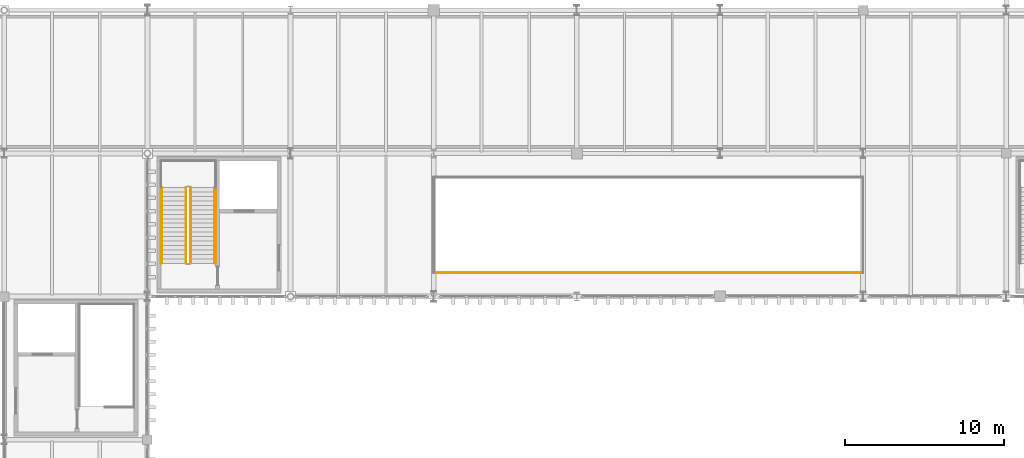
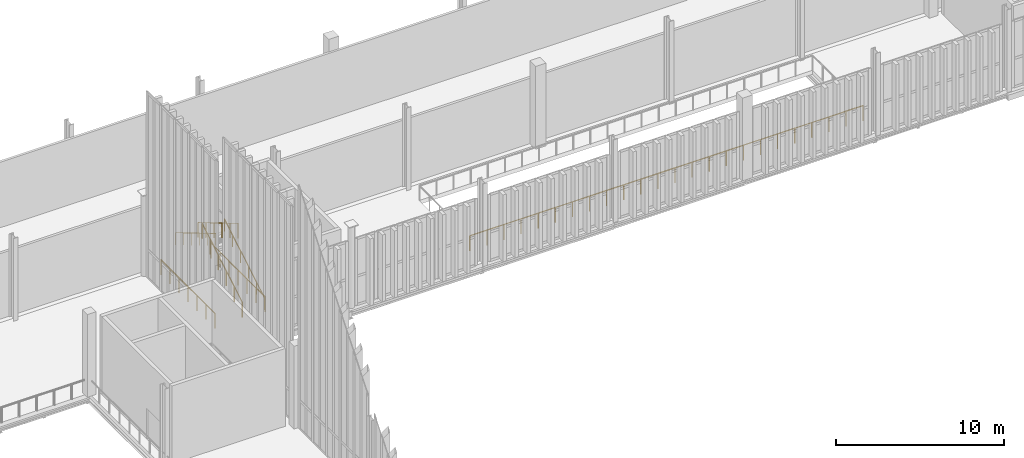
# One storey, part 218 of 237: 7 railings.
"""IFC4 building model written with IfcOpenShell, lengths in metres."""

from ifc_helpers import new_model, si_unit, direction, frame, origin, origin_2d, place, context, subcontext, project, spatial, circle, extrude, material, type_object, element, save


model = new_model("IFC4")

# Units and contexts
model_context = context("Model", 3, precision=1e-05, world=origin(), true_north=direction((0.0, 1.0)))
body_context = subcontext(model_context, "Body", "Model", "MODEL_VIEW")
ifc_project = project(units=[si_unit("LENGTHUNIT", "METRE"), si_unit("AREAUNIT", "SQUARE_METRE"), si_unit("VOLUMEUNIT", "CUBIC_METRE"), si_unit("PLANEANGLEUNIT", "RADIAN"), si_unit("MASSUNIT", "GRAM", prefix="KILO")], contexts=[model_context])

# Site, building, storey
site_placement = place(None, origin())
site = spatial("IfcSite", under=ifc_project, at=site_placement, CompositionType="ELEMENT")
building_placement = place(site_placement, origin())
building = spatial("IfcBuilding", under=site, at=building_placement, Name="Barlavento Convention Centre", CompositionType="ELEMENT")
storey_placement = place(building_placement, frame((0.0, 0.0, 12.0)))
storey = spatial("IfcBuildingStorey", under=building, at=storey_placement, Name="L02", CompositionType="ELEMENT", Elevation=12.0)

# Railings
ifc_material_1 = material(Name="Stainless steel and laminated glass balustrade", Category="steel")
railing_type_1 = type_object("IfcRailingType", Name="ARC-RAL-BAL-1100", PredefinedType="BALUSTRADE", material=ifc_material_1)
railing_1_placement = place(storey_placement, frame((65.719970703125, 47.090087890625, 0.166748046875)))
element("IfcRailing", 1, at=railing_1_placement, inside=storey, type_object=railing_type_1, Name="L02 ST03 stair guard 1", PredefinedType="BALUSTRADE", context=body_context, shape_type="SweptSolid", body=[
    extrude(circle(Radius=0.02392578125, at=origin_2d()), frame((0.0, 0.0, 1.076171875), z_axis=(0.0, 0.859299802514, 0.511472237174), x_axis=(-1.0, 0.0, 0.0)), (0.0, 0.0, 1.0), 5.539306640625),
    extrude(circle(Radius=0.02099609375, at=origin_2d()), origin(), (0.0, 0.0, 1.0), 1.052001953125),
    extrude(circle(Radius=0.02099609375, at=origin_2d()), frame((0.0, 0.951904296875, 0.566650390625)), (0.0, 0.0, 1.0), 1.052001953125),
    extrude(circle(Radius=0.02099609375, at=origin_2d()), frame((0.0, 1.904052734375, 1.13330078125)), (0.0, 0.0, 1.0), 1.052001953125),
    extrude(circle(Radius=0.02099609375, at=origin_2d()), frame((0.0, 2.85595703125, 1.699951171875)), (0.0, 0.0, 1.0), 1.052001953125),
    extrude(circle(Radius=0.02099609375, at=origin_2d()), frame((0.0, 3.80810546875, 2.2666015625)), (0.0, 0.0, 1.0), 1.052001953125),
    extrude(circle(Radius=0.02099609375, at=origin_2d()), frame((0.0, 4.760009765625, 2.833251953125)), (0.0, 0.0, 1.0), 1.052001953125),
])
railing_2_placement = place(storey_placement, frame((65.419921875, 51.85009765625, 3.166748046875)))
element("IfcRailing", 2, at=railing_2_placement, inside=storey, type_object=railing_type_1, Name="L02 ST03 stair guard 3", PredefinedType="BALUSTRADE", context=body_context, shape_type="SweptSolid", body=[
    extrude(circle(Radius=0.02392578125, at=origin_2d()), frame((0.0, 0.0, 1.076171875), z_axis=(0.0, -0.859299802514, 0.511472237174), x_axis=(1.0, 0.0, 0.0)), (0.0, 0.0, 1.0), 5.539306640625),
    extrude(circle(Radius=0.02099609375, at=origin_2d()), origin(), (0.0, 0.0, 1.0), 1.052001953125),
    extrude(circle(Radius=0.02099609375, at=origin_2d()), frame((0.0, -0.951904296875, 0.566650390625)), (0.0, 0.0, 1.0), 1.052001953125),
    extrude(circle(Radius=0.02099609375, at=origin_2d()), frame((0.0, -1.904052734375, 1.13330078125)), (0.0, 0.0, 1.0), 1.052001953125),
    extrude(circle(Radius=0.02099609375, at=origin_2d()), frame((0.0, -2.85595703125, 1.699951171875)), (0.0, 0.0, 1.0), 1.052001953125),
    extrude(circle(Radius=0.02099609375, at=origin_2d()), frame((0.0, -3.80810546875, 2.2666015625)), (0.0, 0.0, 1.0), 1.052001953125),
    extrude(circle(Radius=0.02099609375, at=origin_2d()), frame((0.0, -4.760009765625, 2.833251953125)), (0.0, 0.0, 1.0), 1.052001953125),
])
railing_3_placement = place(storey_placement, frame((67.2900390625, 47.114990234375, 0.0)))
element("IfcRailing", 3, at=railing_3_placement, inside=storey, type_object=railing_type_1, Name="L02 stairwell perimeter guard GR01", PredefinedType="BALUSTRADE", context=body_context, shape_type="SweptSolid", body=[
    extrude(circle(Radius=0.02392578125, at=origin_2d()), frame((0.0, 0.0, 1.076171875), z_axis=(0.0, 1.0, 0.0), x_axis=(-1.0, 0.0, 0.0)), (0.0, 0.0, 1.0), 6.4150390625),
    extrude(circle(Radius=0.02099609375, at=origin_2d()), origin(), (0.0, 0.0, 1.0), 1.052001953125),
    extrude(circle(Radius=0.02099609375, at=origin_2d()), frame((0.0, 1.069091796875, 0.0)), (0.0, 0.0, 1.0), 1.052001953125),
    extrude(circle(Radius=0.02099609375, at=origin_2d()), frame((0.0, 2.138427734375, 0.0)), (0.0, 0.0, 1.0), 1.052001953125),
    extrude(circle(Radius=0.02099609375, at=origin_2d()), frame((0.0, 3.20751953125, 0.0)), (0.0, 0.0, 1.0), 1.052001953125),
    extrude(circle(Radius=0.02099609375, at=origin_2d()), frame((0.0, 4.276611328125, 0.0)), (0.0, 0.0, 1.0), 1.052001953125),
    extrude(circle(Radius=0.02099609375, at=origin_2d()), frame((0.0, 5.345947265625, 0.0)), (0.0, 0.0, 1.0), 1.052001953125),
    extrude(circle(Radius=0.02099609375, at=origin_2d()), frame((0.0, 6.4150390625, 0.0)), (0.0, 0.0, 1.0), 1.052001953125),
])
railing_4_placement = place(storey_placement, frame((63.85009765625, 53.530029296875, 0.0)))
element("IfcRailing", 4, at=railing_4_placement, inside=storey, type_object=railing_type_1, Name="L02 stairwell perimeter guard GR01", PredefinedType="BALUSTRADE", context=body_context, shape_type="SweptSolid", body=[
    extrude(circle(Radius=0.02392578125, at=origin_2d()), frame((0.0, 0.0, 1.076171875), z_axis=(0.0, -1.0, 0.0), x_axis=(1.0, 0.0, 0.0)), (0.0, 0.0, 1.0), 6.4150390625),
    extrude(circle(Radius=0.02099609375, at=origin_2d()), origin(), (0.0, 0.0, 1.0), 1.052001953125),
    extrude(circle(Radius=0.02099609375, at=origin_2d()), frame((0.0, -1.069091796875, 0.0)), (0.0, 0.0, 1.0), 1.052001953125),
    extrude(circle(Radius=0.02099609375, at=origin_2d()), frame((0.0, -2.138427734375, 0.0)), (0.0, 0.0, 1.0), 1.052001953125),
    extrude(circle(Radius=0.02099609375, at=origin_2d()), frame((0.0, -3.20751953125, 0.0)), (0.0, 0.0, 1.0), 1.052001953125),
    extrude(circle(Radius=0.02099609375, at=origin_2d()), frame((0.0, -4.276611328125, 0.0)), (0.0, 0.0, 1.0), 1.052001953125),
    extrude(circle(Radius=0.02099609375, at=origin_2d()), frame((0.0, -5.345947265625, 0.0)), (0.0, 0.0, 1.0), 1.052001953125),
    extrude(circle(Radius=0.02099609375, at=origin_2d()), frame((0.0, -6.4150390625, 0.0)), (0.0, 0.0, 1.0), 1.052001953125),
])
railing_5_placement = place(storey_placement, frame((81.0, 46.5, 0.0)))
element("IfcRailing", 5, at=railing_5_placement, inside=storey, type_object=railing_type_1, Name="L02 interior atrium or gallery balustrade GR01", PredefinedType="BALUSTRADE", context=body_context, shape_type="SweptSolid", body=[
    extrude(circle(Radius=0.02392578125, at=origin_2d()), frame((0.0, 0.0, 1.076171875), z_axis=(1.0, 0.0, 0.0), x_axis=(0.0, 1.0, 0.0)), (0.0, 0.0, 1.0), 27.0),
    extrude(circle(Radius=0.02099609375, at=origin_2d()), origin(), (0.0, 0.0, 1.0), 1.052001953125),
    extrude(circle(Radius=0.02099609375, at=origin_2d()), frame((1.173828125, 0.0, 0.0)), (0.0, 0.0, 1.0), 1.052001953125),
    extrude(circle(Radius=0.02099609375, at=origin_2d()), frame((2.347900390625, 0.0, 0.0)), (0.0, 0.0, 1.0), 1.052001953125),
    extrude(circle(Radius=0.02099609375, at=origin_2d()), frame((3.521728515625, 0.0, 0.0)), (0.0, 0.0, 1.0), 1.052001953125),
    extrude(circle(Radius=0.02099609375, at=origin_2d()), frame((4.695556640625, 0.0, 0.0)), (0.0, 0.0, 1.0), 1.052001953125),
    extrude(circle(Radius=0.02099609375, at=origin_2d()), frame((5.86962890625, 0.0, 0.0)), (0.0, 0.0, 1.0), 1.052001953125),
    extrude(circle(Radius=0.02099609375, at=origin_2d()), frame((7.04345703125, 0.0, 0.0)), (0.0, 0.0, 1.0), 1.052001953125),
    extrude(circle(Radius=0.02099609375, at=origin_2d()), frame((8.21728515625, 0.0, 0.0)), (0.0, 0.0, 1.0), 1.052001953125),
    extrude(circle(Radius=0.02099609375, at=origin_2d()), frame((9.391357421875, 0.0, 0.0)), (0.0, 0.0, 1.0), 1.052001953125),
    extrude(circle(Radius=0.02099609375, at=origin_2d()), frame((10.565185546875, 0.0, 0.0)), (0.0, 0.0, 1.0), 1.052001953125),
    extrude(circle(Radius=0.02099609375, at=origin_2d()), frame((11.739013671875, 0.0, 0.0)), (0.0, 0.0, 1.0), 1.052001953125),
    extrude(circle(Radius=0.02099609375, at=origin_2d()), frame((12.9130859375, 0.0, 0.0)), (0.0, 0.0, 1.0), 1.052001953125),
    extrude(circle(Radius=0.02099609375, at=origin_2d()), frame((14.0869140625, 0.0, 0.0)), (0.0, 0.0, 1.0), 1.052001953125),
    extrude(circle(Radius=0.02099609375, at=origin_2d()), frame((15.260986328125, 0.0, 0.0)), (0.0, 0.0, 1.0), 1.052001953125),
    extrude(circle(Radius=0.02099609375, at=origin_2d()), frame((16.434814453125, 0.0, 0.0)), (0.0, 0.0, 1.0), 1.052001953125),
    extrude(circle(Radius=0.02099609375, at=origin_2d()), frame((17.608642578125, 0.0, 0.0)), (0.0, 0.0, 1.0), 1.052001953125),
    extrude(circle(Radius=0.02099609375, at=origin_2d()), frame((18.78271484375, 0.0, 0.0)), (0.0, 0.0, 1.0), 1.052001953125),
    extrude(circle(Radius=0.02099609375, at=origin_2d()), frame((19.95654296875, 0.0, 0.0)), (0.0, 0.0, 1.0), 1.052001953125),
    extrude(circle(Radius=0.02099609375, at=origin_2d()), frame((21.13037109375, 0.0, 0.0)), (0.0, 0.0, 1.0), 1.052001953125),
    extrude(circle(Radius=0.02099609375, at=origin_2d()), frame((22.304443359375, 0.0, 0.0)), (0.0, 0.0, 1.0), 1.052001953125),
    extrude(circle(Radius=0.02099609375, at=origin_2d()), frame((23.478271484375, 0.0, 0.0)), (0.0, 0.0, 1.0), 1.052001953125),
    extrude(circle(Radius=0.02099609375, at=origin_2d()), frame((24.652099609375, 0.0, 0.0)), (0.0, 0.0, 1.0), 1.052001953125),
    extrude(circle(Radius=0.02099609375, at=origin_2d()), frame((25.826171875, 0.0, 0.0)), (0.0, 0.0, 1.0), 1.052001953125),
    extrude(circle(Radius=0.02099609375, at=origin_2d()), frame((27.0, 0.0, 0.0)), (0.0, 0.0, 1.0), 1.052001953125),
])
ifc_material_2 = material(Name="Brushed stainless steel tubular handrail", Category="steel")
railing_type_2 = type_object("IfcRailingType", Name="ARC-RAL-HR-900", PredefinedType="HANDRAIL", material=ifc_material_2)
railing_6_placement = place(storey_placement, frame((67.239990234375, 47.090087890625, 0.166748046875)))
element("IfcRailing", 6, at=railing_6_placement, inside=storey, type_object=railing_type_2, Name="L02 ST03 stair handrail 1", PredefinedType="HANDRAIL", context=body_context, shape_type="SweptSolid", body=[
    extrude(circle(Radius=0.02392578125, at=origin_2d()), frame((0.0, 0.0, 0.8759765625), z_axis=(0.0, 0.859299802514, 0.511472237174), x_axis=(-1.0, 0.0, 0.0)), (0.0, 0.0, 1.0), 5.539306640625),
    extrude(circle(Radius=0.02099609375, at=origin_2d()), origin(), (0.0, 0.0, 1.0), 0.851806640625),
    extrude(circle(Radius=0.02099609375, at=origin_2d()), frame((0.0, 0.951904296875, 0.566650390625)), (0.0, 0.0, 1.0), 0.851806640625),
    extrude(circle(Radius=0.02099609375, at=origin_2d()), frame((0.0, 1.904052734375, 1.13330078125)), (0.0, 0.0, 1.0), 0.851806640625),
    extrude(circle(Radius=0.02099609375, at=origin_2d()), frame((0.0, 2.85595703125, 1.699951171875)), (0.0, 0.0, 1.0), 0.851806640625),
    extrude(circle(Radius=0.02099609375, at=origin_2d()), frame((0.0, 3.80810546875, 2.2666015625)), (0.0, 0.0, 1.0), 0.851806640625),
    extrude(circle(Radius=0.02099609375, at=origin_2d()), frame((0.0, 4.760009765625, 2.833251953125)), (0.0, 0.0, 1.0), 0.851806640625),
])
railing_7_placement = place(storey_placement, frame((63.89990234375, 51.85009765625, 3.166748046875)))
element("IfcRailing", 7, at=railing_7_placement, inside=storey, type_object=railing_type_2, Name="L02 ST03 stair handrail 2", PredefinedType="HANDRAIL", context=body_context, shape_type="SweptSolid", body=[
    extrude(circle(Radius=0.02392578125, at=origin_2d()), frame((0.0, 0.0, 0.8759765625), z_axis=(0.0, -0.859299802514, 0.511472237174), x_axis=(1.0, 0.0, 0.0)), (0.0, 0.0, 1.0), 5.539306640625),
    extrude(circle(Radius=0.02099609375, at=origin_2d()), origin(), (0.0, 0.0, 1.0), 0.851806640625),
    extrude(circle(Radius=0.02099609375, at=origin_2d()), frame((0.0, -0.951904296875, 0.566650390625)), (0.0, 0.0, 1.0), 0.851806640625),
    extrude(circle(Radius=0.02099609375, at=origin_2d()), frame((0.0, -1.904052734375, 1.13330078125)), (0.0, 0.0, 1.0), 0.851806640625),
    extrude(circle(Radius=0.02099609375, at=origin_2d()), frame((0.0, -2.85595703125, 1.699951171875)), (0.0, 0.0, 1.0), 0.851806640625),
    extrude(circle(Radius=0.02099609375, at=origin_2d()), frame((0.0, -3.80810546875, 2.2666015625)), (0.0, 0.0, 1.0), 0.851806640625),
    extrude(circle(Radius=0.02099609375, at=origin_2d()), frame((0.0, -4.760009765625, 2.833251953125)), (0.0, 0.0, 1.0), 0.851806640625),
])

save(model, "model.ifc")
